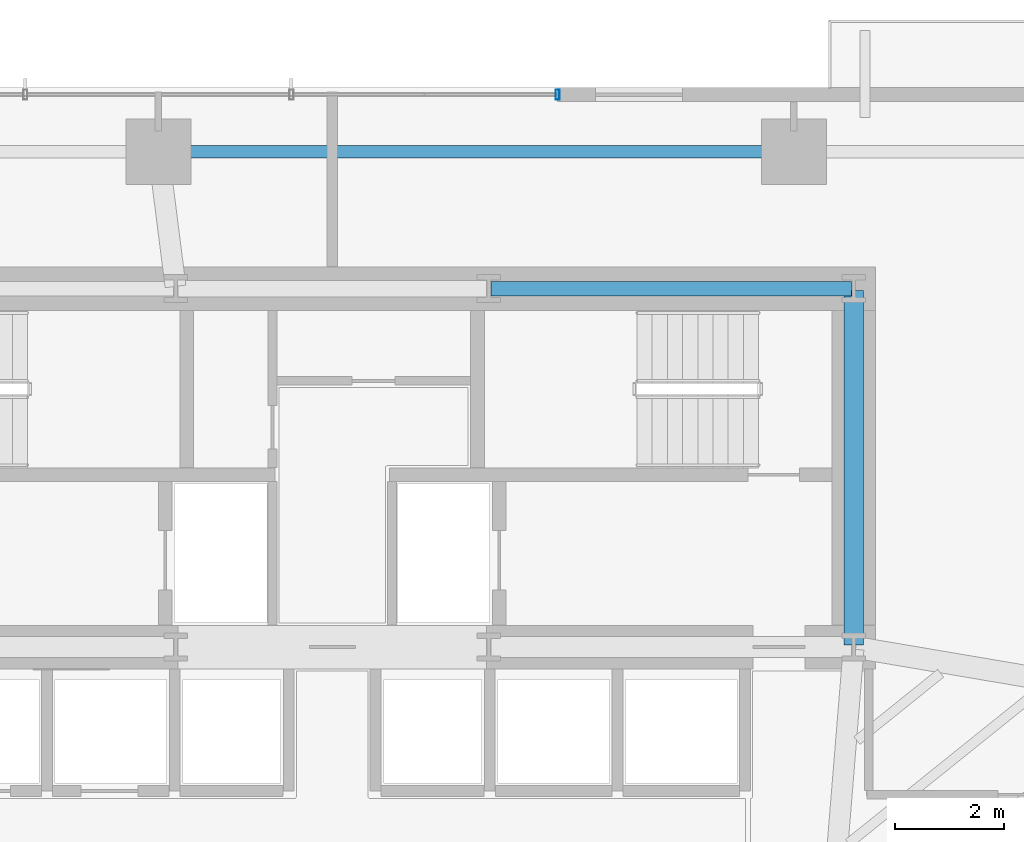
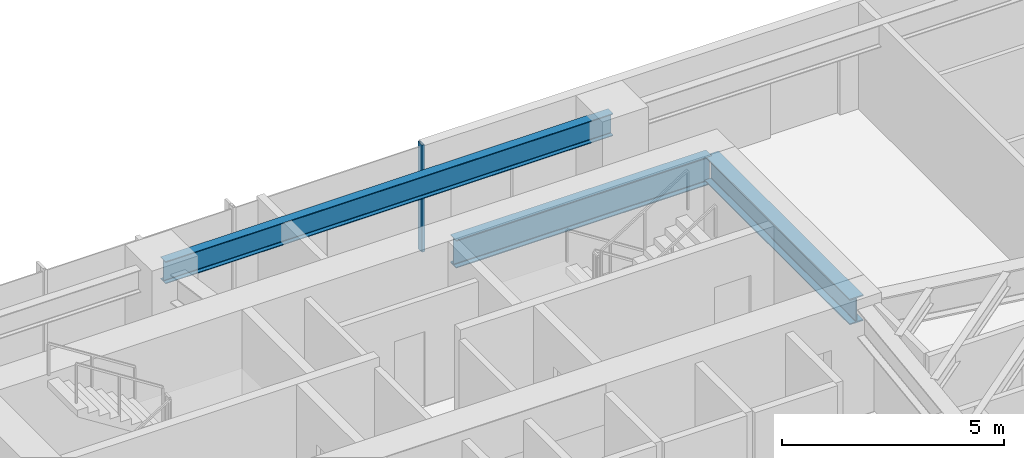
# One storey, part 15 of 25: 3 beams, 1 member, 1 element without a shape of its own.
"""IFC4 building model written with IfcOpenShell, lengths in metres."""

from ifc_helpers import new_model, si_unit, direction, frame, origin, origin_2d, place, context, subcontext, project, spatial, hollow_rectangle, i_section, extrude, source, transform, mapped, material, material_profile, profile_set, type_object, type_shapes, element, aggregate, save


model = new_model("IFC4")

# Units and contexts
model_context = context("Model", 3, precision=1e-05, world=origin(), true_north=direction((0.0, 1.0)))
body_context = subcontext(model_context, "Body", "Model", "MODEL_VIEW")
ifc_project = project(units=[si_unit("LENGTHUNIT", "METRE"), si_unit("AREAUNIT", "SQUARE_METRE"), si_unit("VOLUMEUNIT", "CUBIC_METRE"), si_unit("PLANEANGLEUNIT", "RADIAN"), si_unit("MASSUNIT", "GRAM", prefix="KILO")], contexts=[model_context])

# Site, building, storey
site_placement = place(None, origin())
site = spatial("IfcSite", under=ifc_project, at=site_placement, CompositionType="ELEMENT")
building_placement = place(site_placement, origin())
building = spatial("IfcBuilding", under=site, at=building_placement, Name="Astriad Promenade Condominiums", CompositionType="ELEMENT")
storey_placement = place(building_placement, frame((0.0, 0.0, 35.800048828125)))
storey = spatial("IfcBuildingStorey", under=building, at=storey_placement, Name="L09", CompositionType="ELEMENT", Elevation=35.800048828125)

# Beams
ifc_material_1 = material(Name="Steel ASTM A992 Grade 50", Category="steel")
ifc_material_profile_1 = material_profile(ifc_material_1, i_section(OverallWidth=0.267822265625, OverallDepth=0.76953125, WebThickness=0.015625, FlangeThickness=0.025390625, FilletRadius=0.021484375, at=origin_2d()), Name="W30X132")
ifc_profile_set_1 = profile_set([ifc_material_profile_1], Name="Steel ASTM A992 Grade 50")
beam_type_1 = type_object("IfcBeamType", Name="STEEL FLOOR GIRDER W30X132", PredefinedType="BEAM", material=ifc_profile_set_1)
shared_shape_1 = source(origin(), body_context, "Body", "SweptSolid", [
    extrude(i_section(OverallWidth=0.267822265625, OverallDepth=0.76953125, WebThickness=0.015625, FlangeThickness=0.025390625, FilletRadius=0.021484375, at=origin_2d()), origin(), (0.0, 0.0, 1.0), 6.64013671875),
])
type_shapes(beam_type_1, [shared_shape_1])
beam_1_placement = place(storey_placement, frame((38.919921875, 24.0, 2.55517578125), z_axis=(1.0, 0.0, 0.0), x_axis=(0.0, 1.0, 0.0)))
element("IfcBeam", 1, at=beam_1_placement, inside=storey, type_object=beam_type_1, Name="Core Ring Beam CG-N3-L09", PredefinedType="BEAM", context=body_context, shape_type="MappedRepresentation", body=[
    mapped(shared_shape_1, transform((0.0, 0.0, 0.0), scale=1.0)),
])
ifc_material_profile_2 = material_profile(ifc_material_1, i_section(OverallWidth=0.35791015625, OverallDepth=0.706298828125, WebThickness=0.018310546875, FlangeThickness=0.0302734375, FilletRadius=0.020263671875, at=origin_2d()), Name="W27X178")
ifc_profile_set_2 = profile_set([ifc_material_profile_2], Name="Steel ASTM A992 Grade 50")
beam_type_2 = type_object("IfcBeamType", Name="STEEL FLOOR GIRDER W27X178", PredefinedType="BEAM", material=ifc_profile_set_2)
shared_shape_2 = source(origin(), body_context, "Body", "SweptSolid", [
    extrude(i_section(OverallWidth=0.35791015625, OverallDepth=0.706298828125, WebThickness=0.018310546875, FlangeThickness=0.0302734375, FilletRadius=0.020263671875, at=origin_2d()), origin(), (0.0, 0.0, 1.0), 6.52001953125),
])
type_shapes(beam_type_2, [shared_shape_2])
beam_2_placement = place(storey_placement, frame((45.60009765625, 17.43994140625, 2.586669921875), z_axis=(0.0, 1.0, 0.0), x_axis=(-1.0, 0.0, 0.0)))
element("IfcBeam", 2, at=beam_2_placement, inside=storey, type_object=beam_type_2, Name="Core Ring Beam CG-E1-L09", PredefinedType="BEAM", context=body_context, shape_type="MappedRepresentation", body=[
    mapped(shared_shape_2, transform((0.0, 0.0, 0.0), scale=1.0)),
])
ifc_material_profile_3 = material_profile(ifc_material_1, i_section(OverallWidth=0.22900390625, OverallDepth=0.612060546875, WebThickness=0.011962890625, FlangeThickness=0.01953125, FilletRadius=0.017822265625, at=origin_2d()), Name="W24X84")
ifc_profile_set_3 = profile_set([ifc_material_profile_3], Name="Steel ASTM A992 Grade 50")
beam_type_3 = type_object("IfcBeamType", Name="STEEL SPANDREL BEAM W24X84", PredefinedType="SPANDREL", material=ifc_profile_set_3)
shared_shape_3 = source(origin(), body_context, "Body", "SweptSolid", [
    extrude(i_section(OverallWidth=0.22900390625, OverallDepth=0.612060546875, WebThickness=0.011962890625, FlangeThickness=0.01953125, FilletRadius=0.017822265625, at=origin_2d()), origin(), (0.0, 0.0, 1.0), 11.619873046875),
])
type_shapes(beam_type_3, [shared_shape_3])
beam_3_placement = place(storey_placement, frame((44.4599609375, 26.52001953125, 2.634033203125), z_axis=(-1.0, 0.0, 0.0), x_axis=(0.0, -1.0, 0.0)))
element("IfcBeam", 3, at=beam_3_placement, inside=storey, type_object=beam_type_3, Name="Perimeter Spandrel Beam SP-N3-L09", PredefinedType="SPANDREL", context=body_context, shape_type="MappedRepresentation", body=[
    mapped(shared_shape_3, transform((0.0, 0.0, 0.0), scale=1.0)),
])

# Curtain wall, member
ifc_material_2 = material(Name="Anodised aluminium Black Dark Glass Unitised", Category="aluminium")
curtain_wall_type = type_object("IfcCurtainWallType", Name="CW-B1-DARK", PredefinedType="USERDEFINED", material=ifc_material_2)
curtain_wall_placement = place(storey_placement, origin())
curtain_wall = element("IfcCurtainWall", 4, at=curtain_wall_placement, inside=storey, type_object=curtain_wall_type, Name="CW-L09-N", ObjectType="UNITISED_CURTAIN_WALL", PredefinedType="USERDEFINED")
ifc_material_3 = material(Name="Anodised aluminium 6063-T6 Black", Category="aluminium")
ifc_material_profile_4 = material_profile(ifc_material_3, hollow_rectangle(XDim=0.074951171875, YDim=0.18505859375, WallThickness=0.00439453125, at=origin_2d()), Name="ALU-MUL-75X185")
ifc_profile_set_4 = profile_set([ifc_material_profile_4], Name="Anodised aluminium 6063-T6 Black")
member_type = type_object("IfcMemberType", Name="MUL-ALU-MUL-75X185", PredefinedType="MULLION", material=ifc_profile_set_4)
shared_shape_4 = source(origin(), body_context, "Body", "SweptSolid", [
    extrude(hollow_rectangle(XDim=0.074951171875, YDim=0.18505859375, WallThickness=0.00439453125, at=origin_2d()), origin(), (0.0, 0.0, 1.0), 2.93994140625),
])
type_shapes(member_type, [shared_shape_4])
member_placement = place(storey_placement, frame((40.14990234375, 27.570068359375, 0.0), z_axis=(0.0, 0.0, 1.0), x_axis=(1.0, 0.0, 0.0)))
member = element("IfcMember", 5, at=member_placement, type_object=member_type, Name="CW-L09-N-MUL-03", PredefinedType="MULLION", context=body_context, shape_type="MappedRepresentation", body=[
    mapped(shared_shape_4, transform((0.0, 0.0, 0.0), scale=1.0)),
])
aggregate(curtain_wall, [member])

save(model, "model.ifc")
